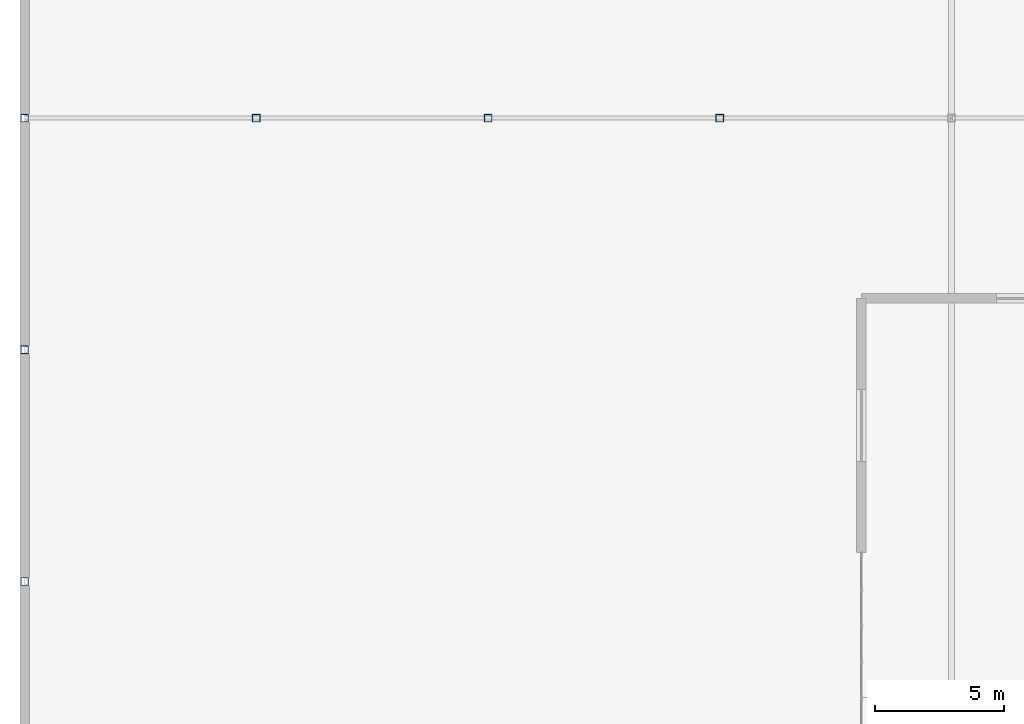
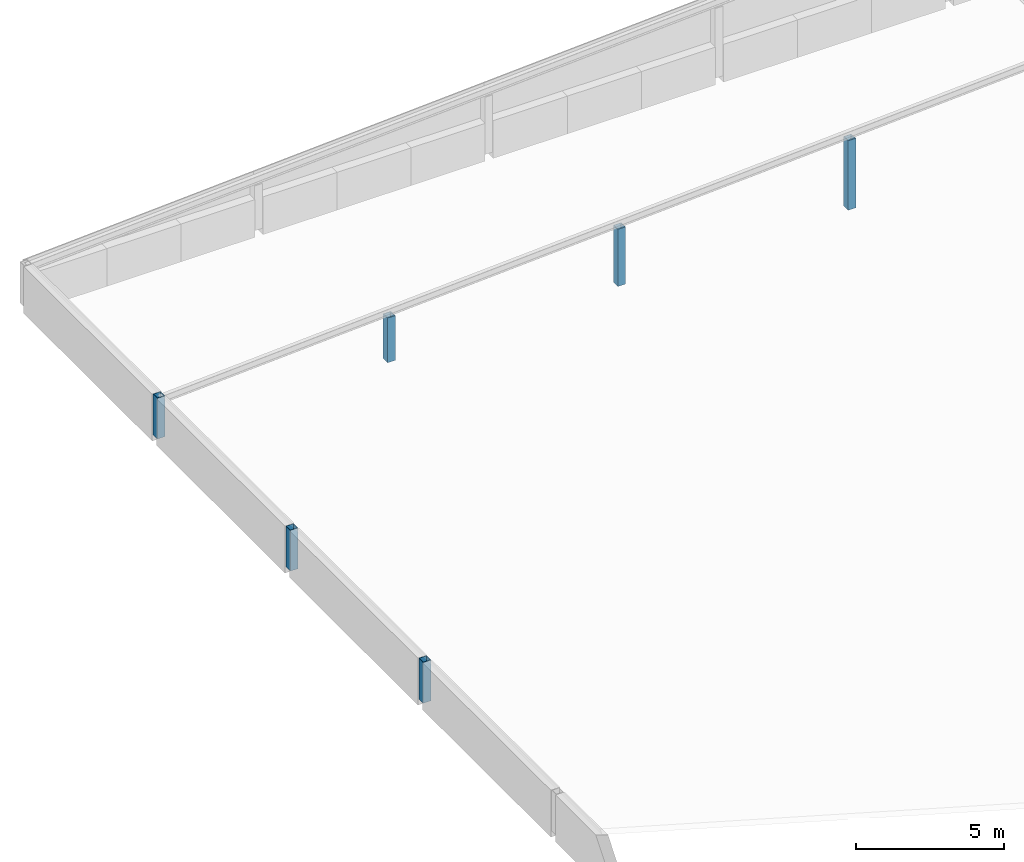
# One storey, part 6 of 48: 6 columns.
"""IFC4 building model written with IfcOpenShell, lengths in metres."""

from ifc_helpers import new_model, si_unit, direction, frame, origin, origin_2d, place, context, subcontext, project, spatial, hollow_rectangle, extrude, material, material_profile, profile_set, type_object, element, save


model = new_model("IFC4")

# Units and contexts
model_context = context("Model", 3, precision=1e-05, world=origin(), true_north=direction((0.0, 1.0)))
body_context = subcontext(model_context, "Body", "Model", "MODEL_VIEW")
ifc_project = project(units=[si_unit("LENGTHUNIT", "METRE"), si_unit("AREAUNIT", "SQUARE_METRE"), si_unit("VOLUMEUNIT", "CUBIC_METRE"), si_unit("PLANEANGLEUNIT", "RADIAN"), si_unit("MASSUNIT", "GRAM", prefix="KILO")], contexts=[model_context])

# Site, building, storey
site_placement = place(None, origin())
site = spatial("IfcSite", under=ifc_project, at=site_placement, CompositionType="ELEMENT")
building_placement = place(site_placement, origin())
building = spatial("IfcBuilding", under=site, at=building_placement, Name="Glasvene Arena", CompositionType="ELEMENT")
storey_placement = place(building_placement, frame((0.0, 0.0, 19.5)))
storey = spatial("IfcBuildingStorey", under=building, at=storey_placement, Name="L04", CompositionType="ELEMENT", Elevation=19.5)

# Columns
ifc_material = material(Name="Steel S355J2", Category="steel")
ifc_material_profile = material_profile(ifc_material, hollow_rectangle(XDim=0.300048828125, YDim=0.300048828125, WallThickness=0.012451171875, at=origin_2d()), Name="SHS 300x300x12.5")
ifc_profile_set = profile_set([ifc_material_profile], Name="Steel S355J2")
column_type = type_object("IfcColumnType", Name="COL-W-SHS300", PredefinedType="COLUMN", material=ifc_profile_set)
for number, where, z_axis, x_axis, name in (
    (1, (0.0, 91.0, 0.0), (0.0, 0.0, 1.0), (1.0, 0.0, 0.0), "Wing roof eave post V4-W-10"),
    (2, (0.0, 100.0, 0.0), (0.0, 0.0, 1.0), (1.0, 0.0, 0.0), "Wing roof eave post V4-W-11"),
    (3, (0.0, 109.0, 0.0), (0.0, 0.0, 1.0), (1.0, 0.0, 0.0), "Wing roof eave post V4-W-12"),
):
    element("IfcColumn", number, at=place(storey_placement, frame(where, z_axis=z_axis, x_axis=x_axis)), inside=storey, type_object=column_type, Name=name, PredefinedType="COLUMN", context=body_context, shape_type="SweptSolid", body=[
        extrude(hollow_rectangle(XDim=0.300048828125, YDim=0.300048828125, WallThickness=0.012451171875, at=origin_2d()), origin(), (0.0, 0.0, 1.0), 1.68994140625),
    ])
column_1_placement = place(storey_placement, frame((9.0, 109.0, 0.0), z_axis=(0.0, 0.0, 1.0), x_axis=(1.0, 0.0, 0.0)))
element("IfcColumn", 4, at=column_1_placement, inside=storey, type_object=column_type, Name="Wing roof rafter post V4-GY109-1", PredefinedType="COLUMN", context=body_context, shape_type="SweptSolid", body=[
    extrude(hollow_rectangle(XDim=0.300048828125, YDim=0.300048828125, WallThickness=0.012451171875, at=origin_2d()), origin(), (0.0, 0.0, 1.0), 1.850830078125),
])
column_2_placement = place(storey_placement, frame((18.0, 109.0, 0.0), z_axis=(0.0, 0.0, 1.0), x_axis=(1.0, 0.0, 0.0)))
element("IfcColumn", 5, at=column_2_placement, inside=storey, type_object=column_type, Name="Wing roof rafter post V4-GY109-2", PredefinedType="COLUMN", context=body_context, shape_type="SweptSolid", body=[
    extrude(hollow_rectangle(XDim=0.300048828125, YDim=0.300048828125, WallThickness=0.012451171875, at=origin_2d()), origin(), (0.0, 0.0, 1.0), 2.36328125),
])
column_3_placement = place(storey_placement, frame((27.0, 109.0, 0.0), z_axis=(0.0, 0.0, 1.0), x_axis=(1.0, 0.0, 0.0)))
element("IfcColumn", 6, at=column_3_placement, inside=storey, type_object=column_type, Name="Wing roof rafter post V4-GY109-3", PredefinedType="COLUMN", context=body_context, shape_type="SweptSolid", body=[
    extrude(hollow_rectangle(XDim=0.300048828125, YDim=0.300048828125, WallThickness=0.012451171875, at=origin_2d()), origin(), (0.0, 0.0, 1.0), 2.875732421875),
])

save(model, "model.ifc")
